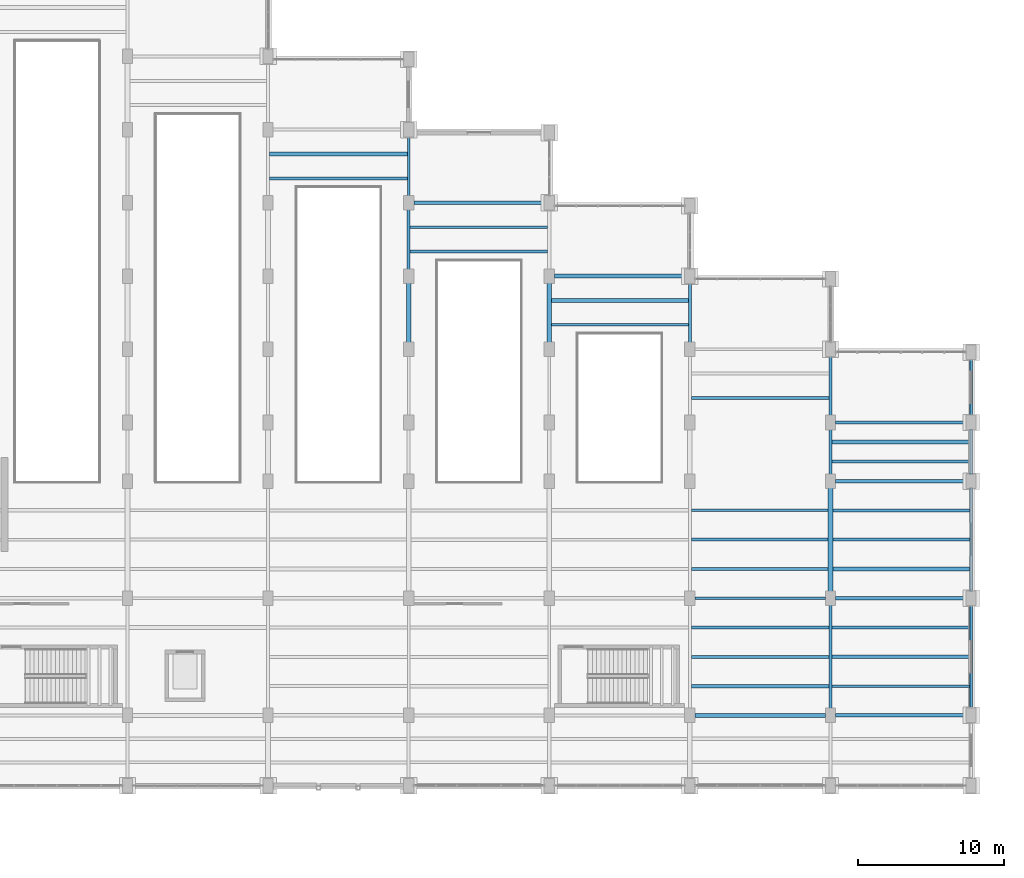
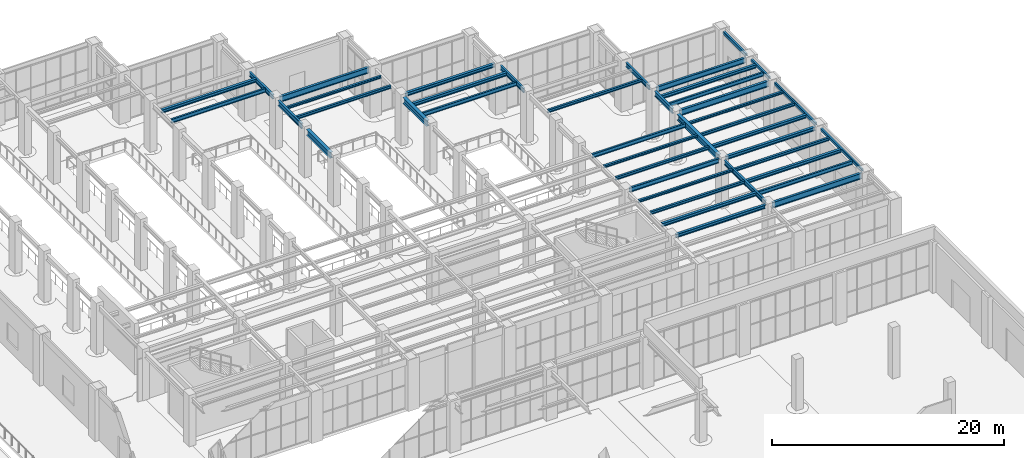
# One storey, part 106 of 164: 42 beams.
"""IFC4 building model written with IfcOpenShell, lengths in metres."""

from ifc_helpers import new_model, si_unit, direction, frame, origin, origin_2d, place, context, subcontext, project, spatial, hollow_rectangle, i_section, extrude, material, material_profile, profile_set, type_object, element, save


model = new_model("IFC4")

# Units and contexts
model_context = context("Model", 3, precision=1e-05, world=origin(), true_north=direction((0.0, 1.0)))
body_context = subcontext(model_context, "Body", "Model", "MODEL_VIEW")
ifc_project = project(units=[si_unit("LENGTHUNIT", "METRE"), si_unit("AREAUNIT", "SQUARE_METRE"), si_unit("VOLUMEUNIT", "CUBIC_METRE"), si_unit("PLANEANGLEUNIT", "RADIAN"), si_unit("MASSUNIT", "GRAM", prefix="KILO")], contexts=[model_context])

# Site, building, storey
site_placement = place(None, origin())
site = spatial("IfcSite", under=ifc_project, at=site_placement, CompositionType="ELEMENT")
building_placement = place(site_placement, origin())
building = spatial("IfcBuilding", under=site, at=building_placement, Name="Mavantir Sound Aquarium", CompositionType="ELEMENT")
storey_placement = place(building_placement, origin())
storey = spatial("IfcBuildingStorey", under=building, at=storey_placement, Name="L00", CompositionType="ELEMENT", Elevation=0.0)

# Beams
ifc_material_1 = material(Name="Hollow Structural Steel ASTM A500 GrC", Category="steel")
ifc_material_profile_1 = material_profile(ifc_material_1, hollow_rectangle(XDim=0.199951171875, YDim=0.300048828125, WallThickness=0.012451171875, InnerFilletRadius=0.012451171875, OuterFilletRadius=0.02490234375, at=origin_2d()), Name="RHS 300X200X12.5")
ifc_profile_set_1 = profile_set([ifc_material_profile_1], Name="Hollow Structural Steel ASTM A500 GrC")
beam_type_1 = type_object("IfcBeamType", Name="BM-RHS300-E", PredefinedType="SPANDREL", material=ifc_profile_set_1)
for number, where, z_axis, x_axis, name in (
    (1, (175.199951171875, 41.25, 4.916015625), (0.0, 1.0, 0.0), (-1.0, 0.0, 0.0), "L00 primary girder SS-R30 1026"),
    (2, (175.199951171875, 49.25, 4.916015625), (0.0, 1.0, 0.0), (-1.0, 0.0, 0.0), "L00 primary girder SS-R30 1027"),
):
    element("IfcBeam", number, at=place(storey_placement, frame(where, z_axis=z_axis, x_axis=x_axis)), inside=storey, type_object=beam_type_1, Name=name, PredefinedType="SPANDREL", context=body_context, shape_type="SweptSolid", body=[
        extrude(hollow_rectangle(XDim=0.199951171875, YDim=0.300048828125, WallThickness=0.012451171875, InnerFilletRadius=0.012451171875, OuterFilletRadius=0.02490234375, at=origin_2d()), origin(), (0.0, 0.0, 1.0), 7.10009765625),
    ])
beam_1_placement = place(storey_placement, frame((175.199951171875, 57.25, 4.916015625), z_axis=(0.0, 1.0, 0.0), x_axis=(-1.0, 0.0, 0.0)))
element("IfcBeam", 3, at=beam_1_placement, inside=storey, type_object=beam_type_1, Name="L00 primary girder SS-R30 1028", PredefinedType="SPANDREL", context=body_context, shape_type="SweptSolid", body=[
    extrude(hollow_rectangle(XDim=0.199951171875, YDim=0.300048828125, WallThickness=0.012451171875, InnerFilletRadius=0.012451171875, OuterFilletRadius=0.02490234375, at=origin_2d()), origin(), (0.0, 0.0, 1.0), 3.10009765625),
])
beam_2_placement = place(storey_placement, frame((175.199951171875, 61.25, 4.916015625), z_axis=(0.0, 1.0, 0.0), x_axis=(-1.0, 0.0, 0.0)))
element("IfcBeam", 4, at=beam_2_placement, inside=storey, type_object=beam_type_1, Name="L00 primary girder SS-R30 1029", PredefinedType="SPANDREL", context=body_context, shape_type="SweptSolid", body=[
    extrude(hollow_rectangle(XDim=0.199951171875, YDim=0.300048828125, WallThickness=0.012451171875, InnerFilletRadius=0.012451171875, OuterFilletRadius=0.02490234375, at=origin_2d()), origin(), (0.0, 0.0, 1.0), 3.89990234375),
])
ifc_material_2 = material(Name="Structural Steel ASTM A992 Gr50", Category="steel")
ifc_material_profile_2 = material_profile(ifc_material_2, i_section(OverallWidth=0.202880859375, OverallDepth=0.251953125, WebThickness=0.008056640625, FlangeThickness=0.013427734375, FilletRadius=0.011962890625, at=origin_2d()), Name="W250X58")
ifc_profile_set_2 = profile_set([ifc_material_profile_2], Name="Structural Steel ASTM A992 Gr50")
beam_type_2 = type_object("IfcBeamType", Name="BM-W250X58-I", PredefinedType="JOIST", material=ifc_profile_set_2)
beam_3_placement = place(storey_placement, frame((156.10595703125, 46.800048828125, 4.9599609375), z_axis=(1.0, 0.0, 0.0), x_axis=(0.0, 1.0, 0.0)))
element("IfcBeam", 5, at=beam_3_placement, inside=storey, type_object=beam_type_2, Name="L00 secondary floor joist SJ-25 532", PredefinedType="JOIST", context=body_context, shape_type="SweptSolid", body=[
    extrude(i_section(OverallWidth=0.202880859375, OverallDepth=0.251953125, WebThickness=0.008056640625, FlangeThickness=0.013427734375, FilletRadius=0.011962890625, at=origin_2d()), origin(), (0.0, 0.0, 1.0), 9.39697265625),
])
beam_4_placement = place(storey_placement, frame((156.096923828125, 52.800048828125, 4.9599609375), z_axis=(1.0, 0.0, 0.0), x_axis=(0.0, 1.0, 0.0)))
element("IfcBeam", 6, at=beam_4_placement, inside=storey, type_object=beam_type_2, Name="L00 secondary floor joist SJ-25 552", PredefinedType="JOIST", context=body_context, shape_type="SweptSolid", body=[
    extrude(i_section(OverallWidth=0.202880859375, OverallDepth=0.251953125, WebThickness=0.008056640625, FlangeThickness=0.013427734375, FilletRadius=0.011962890625, at=origin_2d()), origin(), (0.0, 0.0, 1.0), 9.341064453125),
])
beam_5_placement = place(storey_placement, frame((165.761962890625, 54.800048828125, 4.93994140625), z_axis=(1.0, 0.0, 0.0), x_axis=(0.0, 1.0, 0.0)))
element("IfcBeam", 7, at=beam_5_placement, inside=storey, type_object=beam_type_2, Name="L00 secondary floor joist SJ-25 556", PredefinedType="JOIST", context=body_context, shape_type="SweptSolid", body=[
    extrude(i_section(OverallWidth=0.202880859375, OverallDepth=0.251953125, WebThickness=0.008056640625, FlangeThickness=0.013427734375, FilletRadius=0.011962890625, at=origin_2d()), origin(), (0.0, 0.0, 1.0), 9.338134765625),
])
beam_6_placement = place(storey_placement, frame((136.906005859375, 74.13330078125, 4.93994140625), z_axis=(1.0, 0.0, 0.0), x_axis=(0.0, 1.0, 0.0)))
element("IfcBeam", 8, at=beam_6_placement, inside=storey, type_object=beam_type_2, Name="L00 secondary floor joist SJ-25 564", PredefinedType="JOIST", context=body_context, shape_type="SweptSolid", body=[
    extrude(i_section(OverallWidth=0.202880859375, OverallDepth=0.251953125, WebThickness=0.008056640625, FlangeThickness=0.013427734375, FilletRadius=0.011962890625, at=origin_2d()), origin(), (0.0, 0.0, 1.0), 9.387939453125),
])
ifc_material_profile_3 = material_profile(ifc_material_2, i_section(OverallWidth=0.205078125, OverallDepth=0.31005859375, WebThickness=0.009521484375, FlangeThickness=0.016357421875, FilletRadius=0.012939453125, at=origin_2d()), Name="W310X74")
ifc_profile_set_3 = profile_set([ifc_material_profile_3], Name="Structural Steel ASTM A992 Gr50")
beam_type_3 = type_object("IfcBeamType", Name="BM-W310X74-I", PredefinedType="JOIST", material=ifc_profile_set_3)
beam_7_placement = place(storey_placement, frame((156.10595703125, 44.800048828125, 4.930908203125), z_axis=(1.0, 0.0, 0.0), x_axis=(0.0, 1.0, 0.0)))
element("IfcBeam", 9, at=beam_7_placement, inside=storey, type_object=beam_type_3, Name="L00 secondary floor joist SJ-31 531", PredefinedType="JOIST", context=body_context, shape_type="SweptSolid", body=[
    extrude(i_section(OverallWidth=0.205078125, OverallDepth=0.31005859375, WebThickness=0.009521484375, FlangeThickness=0.016357421875, FilletRadius=0.012939453125, at=origin_2d()), origin(), (0.0, 0.0, 1.0), 9.39697265625),
])
beam_8_placement = place(storey_placement, frame((165.697021484375, 46.800048828125, 4.910888671875), z_axis=(1.0, 0.0, 0.0), x_axis=(0.0, 1.0, 0.0)))
element("IfcBeam", 10, at=beam_8_placement, inside=storey, type_object=beam_type_3, Name="L00 secondary floor joist SJ-31 535", PredefinedType="JOIST", context=body_context, shape_type="SweptSolid", body=[
    extrude(i_section(OverallWidth=0.205078125, OverallDepth=0.31005859375, WebThickness=0.009521484375, FlangeThickness=0.016357421875, FilletRadius=0.012939453125, at=origin_2d()), origin(), (0.0, 0.0, 1.0), 9.403076171875),
])
beam_9_placement = place(storey_placement, frame((156.096923828125, 50.800048828125, 4.930908203125), z_axis=(1.0, 0.0, 0.0), x_axis=(0.0, 1.0, 0.0)))
element("IfcBeam", 11, at=beam_9_placement, inside=storey, type_object=beam_type_3, Name="L00 secondary floor joist SJ-31 551", PredefinedType="JOIST", context=body_context, shape_type="SweptSolid", body=[
    extrude(i_section(OverallWidth=0.205078125, OverallDepth=0.31005859375, WebThickness=0.009521484375, FlangeThickness=0.016357421875, FilletRadius=0.012939453125, at=origin_2d()), origin(), (0.0, 0.0, 1.0), 9.341064453125),
])
beam_10_placement = place(storey_placement, frame((165.761962890625, 52.800048828125, 4.910888671875), z_axis=(1.0, 0.0, 0.0), x_axis=(0.0, 1.0, 0.0)))
element("IfcBeam", 12, at=beam_10_placement, inside=storey, type_object=beam_type_3, Name="L00 secondary floor joist SJ-31 555", PredefinedType="JOIST", context=body_context, shape_type="SweptSolid", body=[
    extrude(i_section(OverallWidth=0.205078125, OverallDepth=0.31005859375, WebThickness=0.009521484375, FlangeThickness=0.016357421875, FilletRadius=0.012939453125, at=origin_2d()), origin(), (0.0, 0.0, 1.0), 9.338134765625),
])
beam_11_placement = place(storey_placement, frame((156.10595703125, 62.466796875, 4.930908203125), z_axis=(1.0, 0.0, 0.0), x_axis=(0.0, 1.0, 0.0)))
element("IfcBeam", 13, at=beam_11_placement, inside=storey, type_object=beam_type_3, Name="L00 secondary floor joist SJ-31 559", PredefinedType="JOIST", context=body_context, shape_type="SweptSolid", body=[
    extrude(i_section(OverallWidth=0.205078125, OverallDepth=0.31005859375, WebThickness=0.009521484375, FlangeThickness=0.016357421875, FilletRadius=0.012939453125, at=origin_2d()), origin(), (0.0, 0.0, 1.0), 9.39697265625),
])
beam_12_placement = place(storey_placement, frame((136.906005859375, 72.466796875, 4.910888671875), z_axis=(1.0, 0.0, 0.0), x_axis=(0.0, 1.0, 0.0)))
element("IfcBeam", 14, at=beam_12_placement, inside=storey, type_object=beam_type_3, Name="L00 secondary floor joist SJ-31 563", PredefinedType="JOIST", context=body_context, shape_type="SweptSolid", body=[
    extrude(i_section(OverallWidth=0.205078125, OverallDepth=0.31005859375, WebThickness=0.009521484375, FlangeThickness=0.016357421875, FilletRadius=0.012939453125, at=origin_2d()), origin(), (0.0, 0.0, 1.0), 9.387939453125),
])
ifc_material_profile_4 = material_profile(ifc_material_2, i_section(OverallWidth=0.257080078125, OverallDepth=0.363037109375, WebThickness=0.012939453125, FlangeThickness=0.021728515625, FilletRadius=0.014892578125, at=origin_2d()), Name="W360X122")
ifc_profile_set_4 = profile_set([ifc_material_profile_4], Name="Structural Steel ASTM A992 Gr50")
beam_type_4 = type_object("IfcBeamType", Name="BM-W360X122-I", PredefinedType="BEAM", material=ifc_profile_set_4)
beam_13_placement = place(storey_placement, frame((156.35009765625, 40.800048828125, 4.884521484375), z_axis=(1.0, 0.0, 0.0), x_axis=(0.0, 1.0, 0.0)))
element("IfcBeam", 15, at=beam_13_placement, inside=storey, type_object=beam_type_4, Name="L00 primary beam SB-36A 936", PredefinedType="BEAM", context=body_context, shape_type="SweptSolid", body=[
    extrude(i_section(OverallWidth=0.257080078125, OverallDepth=0.363037109375, WebThickness=0.012939453125, FlangeThickness=0.021728515625, FilletRadius=0.014892578125, at=origin_2d()), origin(), (0.0, 0.0, 1.0), 8.89990234375),
])
beam_14_placement = place(storey_placement, frame((165.949951171875, 48.800048828125, 4.884521484375), z_axis=(1.0, 0.0, 0.0), x_axis=(0.0, 1.0, 0.0)))
element("IfcBeam", 16, at=beam_14_placement, inside=storey, type_object=beam_type_4, Name="L00 primary beam SB-36A 944", PredefinedType="BEAM", context=body_context, shape_type="SweptSolid", body=[
    extrude(i_section(OverallWidth=0.257080078125, OverallDepth=0.363037109375, WebThickness=0.012939453125, FlangeThickness=0.021728515625, FilletRadius=0.014892578125, at=origin_2d()), origin(), (0.0, 0.0, 1.0), 8.900146484375),
])
beam_15_placement = place(storey_placement, frame((146.75, 70.800048828125, 4.924560546875), z_axis=(1.0, 0.0, 0.0), x_axis=(0.0, 1.0, 0.0)))
element("IfcBeam", 17, at=beam_15_placement, inside=storey, type_object=beam_type_4, Name="L00 primary beam SB-36A 948", PredefinedType="BEAM", context=body_context, shape_type="SweptSolid", body=[
    extrude(i_section(OverallWidth=0.257080078125, OverallDepth=0.363037109375, WebThickness=0.012939453125, FlangeThickness=0.021728515625, FilletRadius=0.014892578125, at=origin_2d()), origin(), (0.0, 0.0, 1.0), 8.89990234375),
])
ifc_material_profile_5 = material_profile(ifc_material_2, i_section(OverallWidth=0.25390625, OverallDepth=0.35302734375, WebThickness=0.009521484375, FlangeThickness=0.016357421875, FilletRadius=0.014892578125, at=origin_2d()), Name="W360X91")
ifc_profile_set_5 = profile_set([ifc_material_profile_5], Name="Structural Steel ASTM A992 Gr50")
beam_type_5 = type_object("IfcBeamType", Name="BM-W360X91-I", PredefinedType="JOIST", material=ifc_profile_set_5)
beam_16_placement = place(storey_placement, frame((156.10595703125, 42.800048828125, 4.909423828125), z_axis=(1.0, 0.0, 0.0), x_axis=(0.0, 1.0, 0.0)))
element("IfcBeam", 18, at=beam_16_placement, inside=storey, type_object=beam_type_5, Name="L00 secondary floor joist SJ-36 530", PredefinedType="JOIST", context=body_context, shape_type="SweptSolid", body=[
    extrude(i_section(OverallWidth=0.25390625, OverallDepth=0.35302734375, WebThickness=0.009521484375, FlangeThickness=0.016357421875, FilletRadius=0.014892578125, at=origin_2d()), origin(), (0.0, 0.0, 1.0), 9.39697265625),
])
beam_17_placement = place(storey_placement, frame((165.697021484375, 44.800048828125, 4.889404296875), z_axis=(1.0, 0.0, 0.0), x_axis=(0.0, 1.0, 0.0)))
element("IfcBeam", 19, at=beam_17_placement, inside=storey, type_object=beam_type_5, Name="L00 secondary floor joist SJ-36 534", PredefinedType="JOIST", context=body_context, shape_type="SweptSolid", body=[
    extrude(i_section(OverallWidth=0.25390625, OverallDepth=0.35302734375, WebThickness=0.009521484375, FlangeThickness=0.016357421875, FilletRadius=0.014892578125, at=origin_2d()), origin(), (0.0, 0.0, 1.0), 9.403076171875),
])
beam_18_placement = place(storey_placement, frame((165.761962890625, 50.800048828125, 4.889404296875), z_axis=(1.0, 0.0, 0.0), x_axis=(0.0, 1.0, 0.0)))
element("IfcBeam", 20, at=beam_18_placement, inside=storey, type_object=beam_type_5, Name="L00 secondary floor joist SJ-36 554", PredefinedType="JOIST", context=body_context, shape_type="SweptSolid", body=[
    extrude(i_section(OverallWidth=0.25390625, OverallDepth=0.35302734375, WebThickness=0.009521484375, FlangeThickness=0.016357421875, FilletRadius=0.014892578125, at=origin_2d()), origin(), (0.0, 0.0, 1.0), 9.338134765625),
])
beam_19_placement = place(storey_placement, frame((165.7060546875, 59.466796875, 4.889404296875), z_axis=(1.0, 0.0, 0.0), x_axis=(0.0, 1.0, 0.0)))
element("IfcBeam", 21, at=beam_19_placement, inside=storey, type_object=beam_type_5, Name="L00 secondary floor joist SJ-36 558", PredefinedType="JOIST", context=body_context, shape_type="SweptSolid", body=[
    extrude(i_section(OverallWidth=0.25390625, OverallDepth=0.35302734375, WebThickness=0.009521484375, FlangeThickness=0.016357421875, FilletRadius=0.014892578125, at=origin_2d()), origin(), (0.0, 0.0, 1.0), 9.39404296875),
])
beam_20_placement = place(storey_placement, frame((146.56201171875, 69.13330078125, 4.929443359375), z_axis=(1.0, 0.0, 0.0), x_axis=(0.0, 1.0, 0.0)))
element("IfcBeam", 22, at=beam_20_placement, inside=storey, type_object=beam_type_5, Name="L00 secondary floor joist SJ-36 562", PredefinedType="JOIST", context=body_context, shape_type="SweptSolid", body=[
    extrude(i_section(OverallWidth=0.25390625, OverallDepth=0.35302734375, WebThickness=0.009521484375, FlangeThickness=0.016357421875, FilletRadius=0.014892578125, at=origin_2d()), origin(), (0.0, 0.0, 1.0), 9.341064453125),
])
beam_21_placement = place(storey_placement, frame((127.305908203125, 79.13330078125, 4.909423828125), z_axis=(1.0, 0.0, 0.0), x_axis=(0.0, 1.0, 0.0)))
element("IfcBeam", 23, at=beam_21_placement, inside=storey, type_object=beam_type_5, Name="L00 secondary floor joist SJ-36 566", PredefinedType="JOIST", context=body_context, shape_type="SweptSolid", body=[
    extrude(i_section(OverallWidth=0.25390625, OverallDepth=0.35302734375, WebThickness=0.009521484375, FlangeThickness=0.016357421875, FilletRadius=0.014892578125, at=origin_2d()), origin(), (0.0, 0.0, 1.0), 9.39697265625),
])
ifc_material_profile_6 = material_profile(ifc_material_2, i_section(OverallWidth=0.180908203125, OverallDepth=0.4169921875, WebThickness=0.010986328125, FlangeThickness=0.018310546875, FilletRadius=0.014892578125, at=origin_2d()), Name="W410X85")
ifc_profile_set_6 = profile_set([ifc_material_profile_6], Name="Structural Steel ASTM A992 Gr50")
beam_type_6 = type_object("IfcBeamType", Name="BM-W410X85-I", PredefinedType="JOIST", material=ifc_profile_set_6)
beam_22_placement = place(storey_placement, frame((165.697021484375, 42.800048828125, 4.857421875), z_axis=(1.0, 0.0, 0.0), x_axis=(0.0, 1.0, 0.0)))
element("IfcBeam", 24, at=beam_22_placement, inside=storey, type_object=beam_type_6, Name="L00 secondary floor joist SJ-41 533", PredefinedType="JOIST", context=body_context, shape_type="SweptSolid", body=[
    extrude(i_section(OverallWidth=0.180908203125, OverallDepth=0.4169921875, WebThickness=0.010986328125, FlangeThickness=0.018310546875, FilletRadius=0.014892578125, at=origin_2d()), origin(), (0.0, 0.0, 1.0), 9.403076171875),
])
beam_23_placement = place(storey_placement, frame((156.096923828125, 54.800048828125, 4.87744140625), z_axis=(1.0, 0.0, 0.0), x_axis=(0.0, 1.0, 0.0)))
element("IfcBeam", 25, at=beam_23_placement, inside=storey, type_object=beam_type_6, Name="L00 secondary floor joist SJ-41 553", PredefinedType="JOIST", context=body_context, shape_type="SweptSolid", body=[
    extrude(i_section(OverallWidth=0.180908203125, OverallDepth=0.4169921875, WebThickness=0.010986328125, FlangeThickness=0.018310546875, FilletRadius=0.014892578125, at=origin_2d()), origin(), (0.0, 0.0, 1.0), 9.341064453125),
])
beam_24_placement = place(storey_placement, frame((165.7060546875, 58.13330078125, 4.857421875), z_axis=(1.0, 0.0, 0.0), x_axis=(0.0, 1.0, 0.0)))
element("IfcBeam", 26, at=beam_24_placement, inside=storey, type_object=beam_type_6, Name="L00 secondary floor joist SJ-41 557", PredefinedType="JOIST", context=body_context, shape_type="SweptSolid", body=[
    extrude(i_section(OverallWidth=0.180908203125, OverallDepth=0.4169921875, WebThickness=0.010986328125, FlangeThickness=0.018310546875, FilletRadius=0.014892578125, at=origin_2d()), origin(), (0.0, 0.0, 1.0), 9.39404296875),
])
beam_25_placement = place(storey_placement, frame((146.56201171875, 67.466796875, 4.8974609375), z_axis=(1.0, 0.0, 0.0), x_axis=(0.0, 1.0, 0.0)))
element("IfcBeam", 27, at=beam_25_placement, inside=storey, type_object=beam_type_6, Name="L00 secondary floor joist SJ-41 561", PredefinedType="JOIST", context=body_context, shape_type="SweptSolid", body=[
    extrude(i_section(OverallWidth=0.180908203125, OverallDepth=0.4169921875, WebThickness=0.010986328125, FlangeThickness=0.018310546875, FilletRadius=0.014892578125, at=origin_2d()), origin(), (0.0, 0.0, 1.0), 9.341064453125),
])
beam_26_placement = place(storey_placement, frame((127.305908203125, 77.466796875, 4.87744140625), z_axis=(1.0, 0.0, 0.0), x_axis=(0.0, 1.0, 0.0)))
element("IfcBeam", 28, at=beam_26_placement, inside=storey, type_object=beam_type_6, Name="L00 secondary floor joist SJ-41 565", PredefinedType="JOIST", context=body_context, shape_type="SweptSolid", body=[
    extrude(i_section(OverallWidth=0.180908203125, OverallDepth=0.4169921875, WebThickness=0.010986328125, FlangeThickness=0.018310546875, FilletRadius=0.014892578125, at=origin_2d()), origin(), (0.0, 0.0, 1.0), 9.39697265625),
])
ifc_material_profile_7 = material_profile(ifc_material_2, i_section(OverallWidth=0.194091796875, OverallDepth=0.468994140625, WebThickness=0.0126953125, FlangeThickness=0.0205078125, FilletRadius=0.01611328125, at=origin_2d()), Name="W460X106")
ifc_profile_set_7 = profile_set([ifc_material_profile_7], Name="Structural Steel ASTM A992 Gr50")
beam_type_7 = type_object("IfcBeamType", Name="BM-W460X106-I", PredefinedType="BEAM", material=ifc_profile_set_7)
beam_27_placement = place(storey_placement, frame((156.35009765625, 48.800048828125, 4.8515625), z_axis=(1.0, 0.0, 0.0), x_axis=(0.0, 1.0, 0.0)))
element("IfcBeam", 29, at=beam_27_placement, inside=storey, type_object=beam_type_7, Name="L00 primary beam SB-46 943", PredefinedType="BEAM", context=body_context, shape_type="SweptSolid", body=[
    extrude(i_section(OverallWidth=0.194091796875, OverallDepth=0.468994140625, WebThickness=0.0126953125, FlangeThickness=0.0205078125, FilletRadius=0.01611328125, at=origin_2d()), origin(), (0.0, 0.0, 1.0), 8.89990234375),
])
for number, where, z_axis, x_axis, name in (
    (30, (136.800048828125, 76.25, 4.83154296875), (0.0, 1.0, 0.0), (-1.0, 0.0, 0.0), "L00 primary girder SB-46 1002"),
    (31, (156.0, 66.25, 4.8515625), (0.0, 1.0, 0.0), (-1.0, 0.0, 0.0), "L00 primary girder SB-46 1017"),
):
    element("IfcBeam", number, at=place(storey_placement, frame(where, z_axis=z_axis, x_axis=x_axis)), inside=storey, type_object=beam_type_7, Name=name, PredefinedType="BEAM", context=body_context, shape_type="SweptSolid", body=[
        extrude(i_section(OverallWidth=0.194091796875, OverallDepth=0.468994140625, WebThickness=0.0126953125, FlangeThickness=0.0205078125, FilletRadius=0.01611328125, at=origin_2d()), origin(), (0.0, 0.0, 1.0), 4.10009765625),
    ])
beam_28_placement = place(storey_placement, frame((165.60009765625, 41.25, 4.83154296875), z_axis=(0.0, 1.0, 0.0), x_axis=(-1.0, 0.0, 0.0)))
element("IfcBeam", 32, at=beam_28_placement, inside=storey, type_object=beam_type_7, Name="L00 primary girder SB-46 1020", PredefinedType="BEAM", context=body_context, shape_type="SweptSolid", body=[
    extrude(i_section(OverallWidth=0.194091796875, OverallDepth=0.468994140625, WebThickness=0.0126953125, FlangeThickness=0.0205078125, FilletRadius=0.01611328125, at=origin_2d()), origin(), (0.0, 0.0, 1.0), 7.10009765625),
])
beam_29_placement = place(storey_placement, frame((165.60009765625, 61.25, 4.83154296875), z_axis=(0.0, 1.0, 0.0), x_axis=(-1.0, 0.0, 0.0)))
element("IfcBeam", 33, at=beam_29_placement, inside=storey, type_object=beam_type_7, Name="L00 primary girder SB-46 1023", PredefinedType="BEAM", context=body_context, shape_type="SweptSolid", body=[
    extrude(i_section(OverallWidth=0.194091796875, OverallDepth=0.468994140625, WebThickness=0.0126953125, FlangeThickness=0.0205078125, FilletRadius=0.01611328125, at=origin_2d()), origin(), (0.0, 0.0, 1.0), 4.10009765625),
])
ifc_material_profile_8 = material_profile(ifc_material_2, i_section(OverallWidth=0.2119140625, OverallDepth=0.5439453125, WebThickness=0.01318359375, FlangeThickness=0.021240234375, FilletRadius=0.01806640625, at=origin_2d()), Name="W530X123")
ifc_profile_set_8 = profile_set([ifc_material_profile_8], Name="Structural Steel ASTM A992 Gr50")
beam_type_8 = type_object("IfcBeamType", Name="BM-W530X123-I", PredefinedType="BEAM", material=ifc_profile_set_8)
beam_30_placement = place(storey_placement, frame((165.949951171875, 60.800048828125, 4.7939453125), z_axis=(1.0, 0.0, 0.0), x_axis=(0.0, 1.0, 0.0)))
element("IfcBeam", 34, at=beam_30_placement, inside=storey, type_object=beam_type_8, Name="L00 primary beam SB-53 946", PredefinedType="BEAM", context=body_context, shape_type="SweptSolid", body=[
    extrude(i_section(OverallWidth=0.2119140625, OverallDepth=0.5439453125, WebThickness=0.01318359375, FlangeThickness=0.021240234375, FilletRadius=0.01806640625, at=origin_2d()), origin(), (0.0, 0.0, 1.0), 8.900146484375),
])
beam_31_placement = place(storey_placement, frame((136.800048828125, 71.25, 4.7939453125), z_axis=(0.0, 1.0, 0.0), x_axis=(-1.0, 0.0, 0.0)))
element("IfcBeam", 35, at=beam_31_placement, inside=storey, type_object=beam_type_8, Name="L00 primary girder SB-53 1001", PredefinedType="BEAM", context=body_context, shape_type="SweptSolid", body=[
    extrude(i_section(OverallWidth=0.2119140625, OverallDepth=0.5439453125, WebThickness=0.01318359375, FlangeThickness=0.021240234375, FilletRadius=0.01806640625, at=origin_2d()), origin(), (0.0, 0.0, 1.0), 4.10009765625),
])
beam_32_placement = place(storey_placement, frame((165.60009765625, 57.25, 4.7939453125), z_axis=(0.0, 1.0, 0.0), x_axis=(-1.0, 0.0, 0.0)))
element("IfcBeam", 36, at=beam_32_placement, inside=storey, type_object=beam_type_8, Name="L00 primary girder SB-53 1022", PredefinedType="BEAM", context=body_context, shape_type="SweptSolid", body=[
    extrude(i_section(OverallWidth=0.2119140625, OverallDepth=0.5439453125, WebThickness=0.01318359375, FlangeThickness=0.021240234375, FilletRadius=0.01806640625, at=origin_2d()), origin(), (0.0, 0.0, 1.0), 3.10009765625),
])
ifc_material_profile_9 = material_profile(ifc_material_2, i_section(OverallWidth=0.22900390625, OverallDepth=0.612060546875, WebThickness=0.011962890625, FlangeThickness=0.01953125, FilletRadius=0.01904296875, at=origin_2d()), Name="W610X125")
ifc_profile_set_9 = profile_set([ifc_material_profile_9], Name="Structural Steel ASTM A992 Gr50")
beam_type_9 = type_object("IfcBeamType", Name="BM-W610X125-I", PredefinedType="BEAM", material=ifc_profile_set_9)
for number, where, z_axis, x_axis, name in (
    (37, (165.949951171875, 40.800048828125, 4.760009765625), (1.0, 0.0, 0.0), (0.0, 1.0, 0.0), "L00 primary beam SB-61B 937"),
    (38, (165.949951171875, 56.800048828125, 4.760009765625), (1.0, 0.0, 0.0), (0.0, 1.0, 0.0), "L00 primary beam SB-61B 945"),
    (39, (137.14990234375, 75.800048828125, 4.760009765625), (1.0, 0.0, 0.0), (0.0, 1.0, 0.0), "L00 primary beam SB-61B 949"),
):
    element("IfcBeam", number, at=place(storey_placement, frame(where, z_axis=z_axis, x_axis=x_axis)), inside=storey, type_object=beam_type_9, Name=name, PredefinedType="BEAM", context=body_context, shape_type="SweptSolid", body=[
        extrude(i_section(OverallWidth=0.22900390625, OverallDepth=0.612060546875, WebThickness=0.011962890625, FlangeThickness=0.01953125, FilletRadius=0.01904296875, at=origin_2d()), origin(), (0.0, 0.0, 1.0), 8.900146484375),
    ])
ifc_material_profile_10 = material_profile(ifc_material_2, i_section(OverallWidth=0.323974609375, OverallDepth=0.611083984375, WebThickness=0.0126953125, FlangeThickness=0.01904296875, FilletRadius=0.01904296875, at=origin_2d()), Name="W610X155")
ifc_profile_set_10 = profile_set([ifc_material_profile_10], Name="Structural Steel ASTM A992 Gr50")
beam_type_10 = type_object("IfcBeamType", Name="BM-W610X155-I", PredefinedType="BEAM", material=ifc_profile_set_10)
for number, where, z_axis, x_axis, name in (
    (40, (136.800048828125, 66.25, 4.760498046875), (0.0, 1.0, 0.0), (-1.0, 0.0, 0.0), "L00 primary girder SB-61A 1000"),
    (41, (146.39990234375, 66.25, 4.760498046875), (0.0, 1.0, 0.0), (-1.0, 0.0, 0.0), "L00 primary girder SB-61A 1009"),
):
    element("IfcBeam", number, at=place(storey_placement, frame(where, z_axis=z_axis, x_axis=x_axis)), inside=storey, type_object=beam_type_10, Name=name, PredefinedType="BEAM", context=body_context, shape_type="SweptSolid", body=[
        extrude(i_section(OverallWidth=0.323974609375, OverallDepth=0.611083984375, WebThickness=0.0126953125, FlangeThickness=0.01904296875, FilletRadius=0.01904296875, at=origin_2d()), origin(), (0.0, 0.0, 1.0), 4.10009765625),
    ])
beam_33_placement = place(storey_placement, frame((165.60009765625, 49.25, 4.760498046875), z_axis=(0.0, 1.0, 0.0), x_axis=(-1.0, 0.0, 0.0)))
element("IfcBeam", 42, at=beam_33_placement, inside=storey, type_object=beam_type_10, Name="L00 primary girder SB-61A 1021", PredefinedType="BEAM", context=body_context, shape_type="SweptSolid", body=[
    extrude(i_section(OverallWidth=0.323974609375, OverallDepth=0.611083984375, WebThickness=0.0126953125, FlangeThickness=0.01904296875, FilletRadius=0.01904296875, at=origin_2d()), origin(), (0.0, 0.0, 1.0), 7.10009765625),
])

save(model, "model.ifc")
